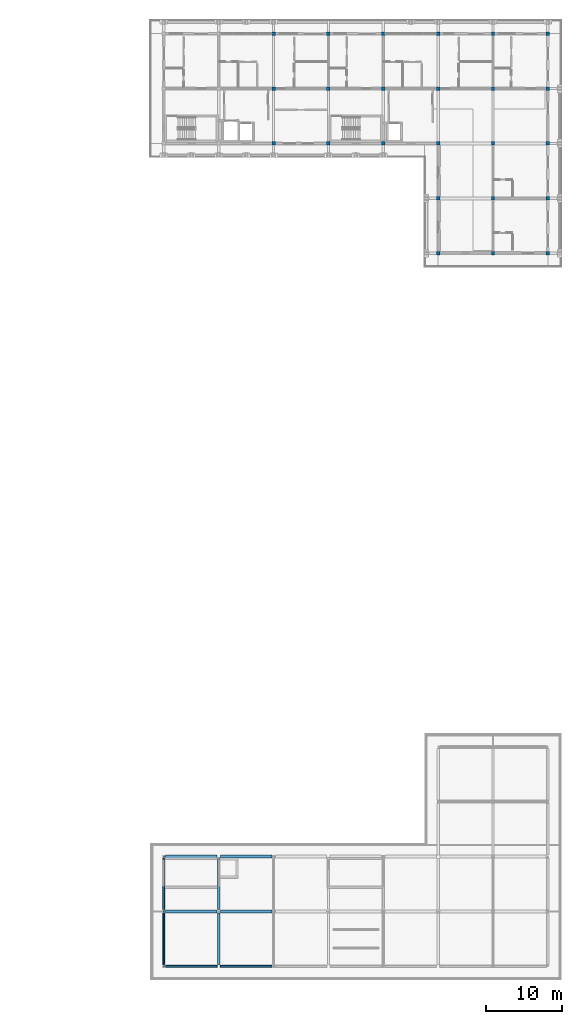
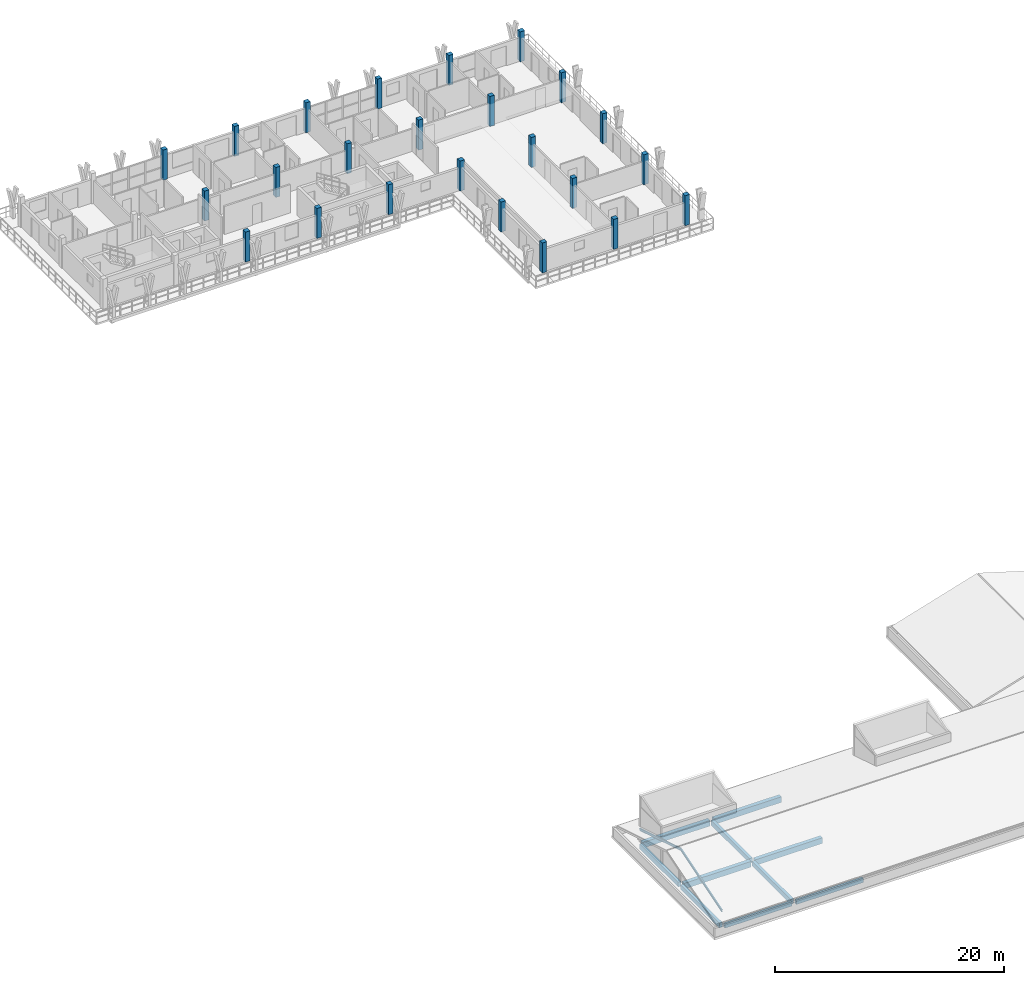
# One storey, part 5 of 45: 24 columns, 12 beams.
"""IFC4 building model written with IfcOpenShell, lengths in metres."""

from ifc_helpers import new_model, si_unit, direction, frame, origin, origin_2d, place, context, subcontext, project, spatial, rectangle, i_section, extrude, material, material_profile, profile_set, type_object, element, save


model = new_model("IFC4")

# Units and contexts
model_context = context("Model", 3, precision=1e-05, world=origin(), true_north=direction((0.0, 1.0)))
body_context = subcontext(model_context, "Body", "Model", "MODEL_VIEW")
ifc_project = project(units=[si_unit("LENGTHUNIT", "METRE"), si_unit("AREAUNIT", "SQUARE_METRE"), si_unit("VOLUMEUNIT", "CUBIC_METRE"), si_unit("PLANEANGLEUNIT", "RADIAN"), si_unit("MASSUNIT", "GRAM", prefix="KILO")], contexts=[model_context])

# Site, building, storey
site_placement = place(None, origin())
site = spatial("IfcSite", under=ifc_project, at=site_placement, CompositionType="ELEMENT")
building_placement = place(site_placement, origin())
building = spatial("IfcBuilding", under=site, at=building_placement, Name="Suanplinth Sawtooth Commons", CompositionType="ELEMENT")
storey_placement = place(building_placement, frame((0.0, 0.0, 38.0)))
storey = spatial("IfcBuildingStorey", under=building, at=storey_placement, Name="L11", CompositionType="ELEMENT", Elevation=38.0)

# Columns
ifc_material_1 = material(Name="Precast concrete C40/50", Category="concrete")
ifc_material_profile_1 = material_profile(ifc_material_1, rectangle(XDim=0.449951171875, YDim=0.449951171875, at=origin_2d()), Name="PC-COL 450x450")
ifc_profile_set_1 = profile_set([ifc_material_profile_1], Name="Precast concrete C40/50")
column_type = type_object("IfcColumnType", Name="C-07", PredefinedType="COLUMN", material=ifc_profile_set_1)
for number, where, z_axis, x_axis, name in (
    (1, (151.199951171875, 108.0, 0.0), (0.0, 0.0, 1.0), (1.0, 0.0, 0.0), "Column L11 22/R"),
    (2, (151.199951171875, 115.199951171875, 0.0), (0.0, 0.0, 1.0), (1.0, 0.0, 0.0), "Column L11 22/S"),
    (3, (151.199951171875, 122.39990234375, 0.0), (0.0, 0.0, 1.0), (1.0, 0.0, 0.0), "Column L11 22/T"),
    (4, (158.39990234375, 108.0, 0.0), (0.0, 0.0, 1.0), (1.0, 0.0, 0.0), "Column L11 23/R"),
    (5, (158.39990234375, 115.199951171875, 0.0), (0.0, 0.0, 1.0), (1.0, 0.0, 0.0), "Column L11 23/S"),
    (6, (158.39990234375, 122.39990234375, 0.0), (0.0, 0.0, 1.0), (1.0, 0.0, 0.0), "Column L11 23/T"),
    (7, (165.60009765625, 108.0, 0.0), (0.0, 0.0, 1.0), (1.0, 0.0, 0.0), "Column L11 24/R"),
    (8, (165.60009765625, 115.199951171875, 0.0), (0.0, 0.0, 1.0), (1.0, 0.0, 0.0), "Column L11 24/S"),
    (9, (165.60009765625, 122.39990234375, 0.0), (0.0, 0.0, 1.0), (1.0, 0.0, 0.0), "Column L11 24/T"),
    (10, (172.800048828125, 93.60009765625, 0.0), (0.0, 0.0, 1.0), (1.0, 0.0, 0.0), "Column L11 25/P"),
    (11, (172.800048828125, 100.800048828125, 0.0), (0.0, 0.0, 1.0), (1.0, 0.0, 0.0), "Column L11 25/Q"),
    (12, (172.800048828125, 108.0, 0.0), (0.0, 0.0, 1.0), (1.0, 0.0, 0.0), "Column L11 25/R"),
    (13, (172.800048828125, 115.199951171875, 0.0), (0.0, 0.0, 1.0), (1.0, 0.0, 0.0), "Column L11 25/S"),
    (14, (172.800048828125, 122.39990234375, 0.0), (0.0, 0.0, 1.0), (1.0, 0.0, 0.0), "Column L11 25/T"),
    (15, (180.0, 93.60009765625, 0.0), (0.0, 0.0, 1.0), (1.0, 0.0, 0.0), "Column L11 26/P"),
    (16, (180.0, 100.800048828125, 0.0), (0.0, 0.0, 1.0), (1.0, 0.0, 0.0), "Column L11 26/Q"),
    (17, (180.0, 108.0, 0.0), (0.0, 0.0, 1.0), (1.0, 0.0, 0.0), "Column L11 26/R"),
    (18, (180.0, 115.199951171875, 0.0), (0.0, 0.0, 1.0), (1.0, 0.0, 0.0), "Column L11 26/S"),
    (19, (180.0, 122.39990234375, 0.0), (0.0, 0.0, 1.0), (1.0, 0.0, 0.0), "Column L11 26/T"),
    (20, (187.199951171875, 93.60009765625, 0.0), (0.0, 0.0, 1.0), (1.0, 0.0, 0.0), "Column L11 27/P"),
    (21, (187.199951171875, 100.800048828125, 0.0), (0.0, 0.0, 1.0), (1.0, 0.0, 0.0), "Column L11 27/Q"),
    (22, (187.199951171875, 108.0, 0.0), (0.0, 0.0, 1.0), (1.0, 0.0, 0.0), "Column L11 27/R"),
    (23, (187.199951171875, 115.199951171875, 0.0), (0.0, 0.0, 1.0), (1.0, 0.0, 0.0), "Column L11 27/S"),
    (24, (187.199951171875, 122.39990234375, 0.0), (0.0, 0.0, 1.0), (1.0, 0.0, 0.0), "Column L11 27/T"),
):
    element("IfcColumn", number, at=place(storey_placement, frame(where, z_axis=z_axis, x_axis=x_axis)), inside=storey, type_object=column_type, Name=name, PredefinedType="COLUMN", context=body_context, shape_type="SweptSolid", body=[
        extrude(rectangle(XDim=0.449951171875, YDim=0.449951171875, at=origin_2d()), origin(), (0.0, 0.0, 1.0), 3.199951171875),
    ])

# Beams
ifc_material_profile_2 = material_profile(ifc_material_1, rectangle(XDim=0.39990234375, YDim=0.60009765625, at=origin_2d()), Name="PC-GDR 400x600")
ifc_profile_set_2 = profile_set([ifc_material_profile_2], Name="Precast concrete C40/50")
beam_type_1 = type_object("IfcBeamType", Name="B-05", PredefinedType="USERDEFINED", material=ifc_profile_set_2)
for number, where, z_axis, x_axis, name in (
    (25, (137.02490234375, 7.199951171875, -0.5400390625), (1.0, 0.0, 0.0), (0.0, 1.0, 0.0), "BMX-L11-C-19-1"),
    (26, (137.02490234375, 14.39990234375, -0.5400390625), (1.0, 0.0, 0.0), (0.0, 1.0, 0.0), "BMX-L11-C-19-2"),
    (27, (144.22509765625, 7.199951171875, -0.5400390625), (1.0, 0.0, 0.0), (0.0, 1.0, 0.0), "BMX-L11-C-20-1"),
    (28, (144.22509765625, 14.39990234375, -0.5400390625), (1.0, 0.0, 0.0), (0.0, 1.0, 0.0), "BMX-L11-C-20-2"),
):
    element("IfcBeam", number, at=place(storey_placement, frame(where, z_axis=z_axis, x_axis=x_axis)), inside=storey, type_object=beam_type_1, Name=name, ObjectType="GIRDER", PredefinedType="USERDEFINED", context=body_context, shape_type="SweptSolid", body=[
        extrude(rectangle(XDim=0.39990234375, YDim=0.60009765625, at=origin_2d()), origin(), (0.0, 0.0, 1.0), 6.75),
    ])
ifc_material_profile_3 = material_profile(ifc_material_1, rectangle(XDim=0.300048828125, YDim=0.5, at=origin_2d()), Name="PC-BM 300x500")
ifc_profile_set_3 = profile_set([ifc_material_profile_3], Name="Precast concrete C40/50")
beam_type_2 = type_object("IfcBeamType", Name="B-07", PredefinedType="BEAM", material=ifc_profile_set_3)
for number, where, z_axis, x_axis, name in (
    (29, (136.800048828125, 0.22509765625, -0.489990234375), (0.0, 1.0, 0.0), (-1.0, 0.0, 0.0), "BMY-L11-C-19-0"),
    (30, (136.800048828125, 7.425048828125, -0.489990234375), (0.0, 1.0, 0.0), (-1.0, 0.0, 0.0), "BMY-L11-C-19-1"),
    (31, (144.0, 0.22509765625, -0.489990234375), (0.0, 1.0, 0.0), (-1.0, 0.0, 0.0), "BMY-L11-C-20-0"),
    (32, (144.0, 7.425048828125, -0.489990234375), (0.0, 1.0, 0.0), (-1.0, 0.0, 0.0), "BMY-L11-C-20-1"),
):
    element("IfcBeam", number, at=place(storey_placement, frame(where, z_axis=z_axis, x_axis=x_axis)), inside=storey, type_object=beam_type_2, Name=name, PredefinedType="BEAM", context=body_context, shape_type="SweptSolid", body=[
        extrude(rectangle(XDim=0.300048828125, YDim=0.5, at=origin_2d()), origin(), (0.0, 0.0, 1.0), 6.75),
    ])
ifc_material_profile_4 = material_profile(ifc_material_1, rectangle(XDim=0.25, YDim=0.449951171875, at=origin_2d()), Name="PC-SP 250x450")
ifc_profile_set_4 = profile_set([ifc_material_profile_4], Name="Precast concrete C40/50")
beam_type_3 = type_object("IfcBeamType", Name="B-09", PredefinedType="SPANDREL", material=ifc_profile_set_4)
for number, where, z_axis, x_axis, name in (
    (33, (137.02490234375, 0.0, -0.465087890625), (1.0, 0.0, 0.0), (0.0, 1.0, 0.0), "BMX-L11-C-19-0"),
    (34, (144.22509765625, 0.0, -0.465087890625), (1.0, 0.0, 0.0), (0.0, 1.0, 0.0), "BMX-L11-C-20-0"),
):
    element("IfcBeam", number, at=place(storey_placement, frame(where, z_axis=z_axis, x_axis=x_axis)), inside=storey, type_object=beam_type_3, Name=name, PredefinedType="SPANDREL", context=body_context, shape_type="SweptSolid", body=[
        extrude(rectangle(XDim=0.25, YDim=0.449951171875, at=origin_2d()), origin(), (0.0, 0.0, 1.0), 6.75),
    ])
ifc_material_2 = material(Name="Steel SS400", Category="steel")
ifc_material_profile_5 = material_profile(ifc_material_2, i_section(OverallWidth=0.1201171875, OverallDepth=0.239990234375, WebThickness=0.006103515625, FlangeThickness=0.009765625, at=origin_2d()), Name="IPE 240")
ifc_profile_set_5 = profile_set([ifc_material_profile_5], Name="Steel SS400")
beam_type_4 = type_object("IfcBeamType", Name="B-14", PredefinedType="BEAM", material=ifc_profile_set_5)
for number, where, z_axis, x_axis, name in (
    (35, (136.800048828125, 0.0, 1.14990234375), (0.0, 0.955232505133, 0.295856149398), (-1.0, 0.0, 0.0), "Crown Rafter S C 20"),
    (36, (136.800048828125, 14.39990234375, 1.14990234375), (0.0, -0.955232505133, 0.295856149398), (1.0, 0.0, 0.0), "Crown Rafter N C 20"),
):
    element("IfcBeam", number, at=place(storey_placement, frame(where, z_axis=z_axis, x_axis=x_axis)), inside=storey, type_object=beam_type_4, Name=name, PredefinedType="BEAM", context=body_context, shape_type="SweptSolid", body=[
        extrude(i_section(OverallWidth=0.1201171875, OverallDepth=0.239990234375, WebThickness=0.006103515625, FlangeThickness=0.009765625, at=origin_2d()), origin(), (0.0, 0.0, 1.0), 7.537353515625),
    ])

save(model, "model.ifc")
